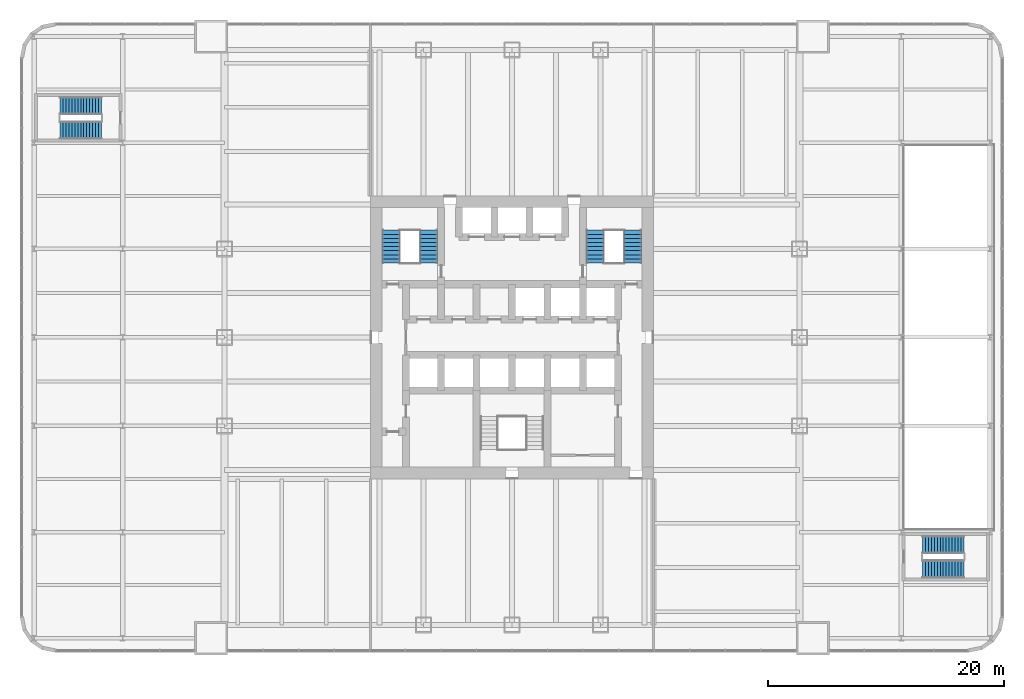
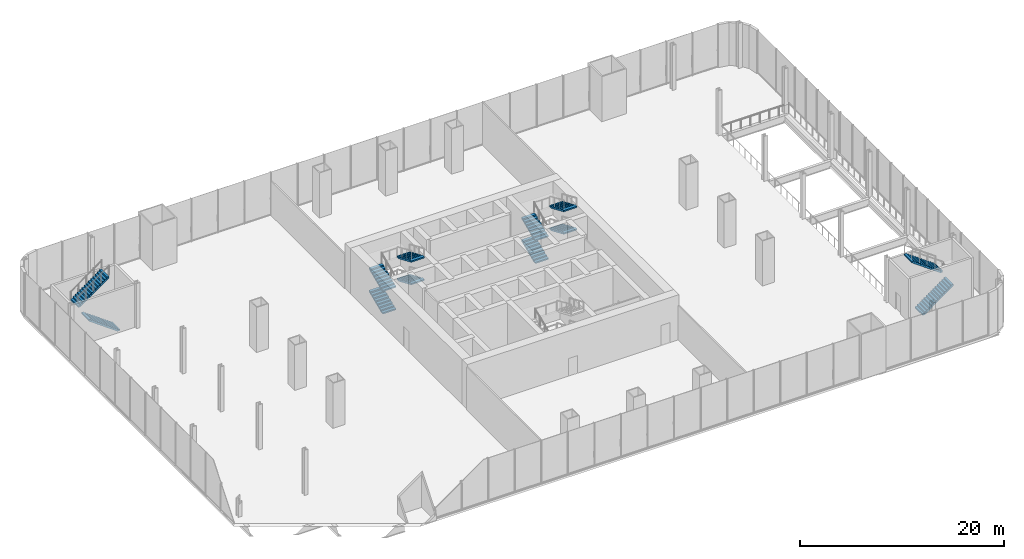
# One storey, part 14 of 16: 12 stair flights, 4 elements without a shape of their own.
"""IFC4 building model written with IfcOpenShell, lengths in metres."""

from ifc_helpers import new_model, si_unit, direction, frame, origin, place, context, subcontext, project, spatial, polyline, outline, extrude, material, type_object, element, aggregate, save


model = new_model("IFC4")

# Units and contexts
model_context = context("Model", 3, precision=1e-05, world=origin(), true_north=direction((0.0, 1.0)))
body_context = subcontext(model_context, "Body", "Model", "MODEL_VIEW")
ifc_project = project(units=[si_unit("LENGTHUNIT", "METRE"), si_unit("AREAUNIT", "SQUARE_METRE"), si_unit("VOLUMEUNIT", "CUBIC_METRE"), si_unit("PLANEANGLEUNIT", "RADIAN"), si_unit("MASSUNIT", "GRAM", prefix="KILO")], contexts=[model_context])

# Site, building, storey
site_placement = place(None, origin())
site = spatial("IfcSite", under=ifc_project, at=site_placement, CompositionType="ELEMENT")
building_placement = place(site_placement, origin())
building = spatial("IfcBuilding", under=site, at=building_placement, Name="Tarangal Relay Tower", CompositionType="ELEMENT")
storey_placement = place(building_placement, frame((0.0, 0.0, 7.199951171875)))
storey = spatial("IfcBuildingStorey", under=building, at=storey_placement, Name="L01", CompositionType="ELEMENT", Elevation=7.199951171875)

# Stair, stair flights
ifc_material = material(Name="Steel ASTM A992 stair flight", Category="steel")
stair_type_1 = type_object("IfcStairType", Name="Podium stair 1500", PredefinedType="HALF_TURN_STAIR", material=ifc_material)
stair_1_placement = place(storey_placement, origin())
stair_1 = element("IfcStair", 1, at=stair_1_placement, inside=storey, type_object=stair_type_1, Name="Stair ST-D L01", PredefinedType="HALF_TURN_STAIR")
stair_flight_type_1 = type_object("IfcStairFlightType", Name="Steel stair flight 1500, 15 risers 180 x 250", PredefinedType="STRAIGHT", material=ifc_material)
stair_flight_1_placement = place(storey_placement, frame((-34.800048828125, 17.550048828125, 0.0), z_axis=(0.0, 0.0, 1.0), x_axis=(-1.0, 0.0, 0.0)))
stair_flight_1 = element("IfcStairFlight", 2, at=stair_flight_1_placement, type_object=stair_flight_type_1, Name="ST-D flight 1", NumberOfRisers=15, NumberOfTreads=14, PredefinedType="STRAIGHT", RiserHeight=0.18, TreadLength=0.25, context=body_context, shape_type="SweptSolid", body=[
    extrude(outline(polyline([(0.0, 0.0), (0.0, 0.179931640625), (0.25, 0.179931640625), (0.25, 0.360107421875), (0.5, 0.360107421875), (0.5, 0.5400390625), (0.75, 0.5400390625), (0.75, 0.719970703125), (1.0, 0.719970703125), (1.0, 0.89990234375), (1.25, 0.89990234375), (1.25, 1.080078125), (1.5, 1.080078125), (1.5, 1.260009765625), (1.75, 1.260009765625), (1.75, 1.43994140625), (2.0, 1.43994140625), (2.0, 1.6201171875), (2.25, 1.6201171875), (2.25, 1.800048828125), (2.5, 1.800048828125), (2.5, 1.97998046875), (2.75, 1.97998046875), (2.75, 2.159912109375), (3.0, 2.159912109375), (3.0, 2.340087890625), (3.25, 2.340087890625), (3.25, 2.52001953125), (3.5, 2.52001953125), (3.5, 2.699951171875), (3.5, 2.335205078125), (0.256591796875, 0.0), (0.0, 0.0)])), frame((0.0, 0.75, 0.0), z_axis=(0.0, -1.0, 0.0), x_axis=(1.0, 0.0, 0.0)), (0.0, 0.0, 1.0), 1.5),
])
stair_flight_2_placement = place(storey_placement, frame((-38.300048828125, 19.64990234375, 2.699951171875), z_axis=(0.0, 0.0, 1.0), x_axis=(1.0, 0.0, 0.0)))
stair_flight_2 = element("IfcStairFlight", 3, at=stair_flight_2_placement, type_object=stair_flight_type_1, Name="ST-D flight 2", NumberOfRisers=15, NumberOfTreads=14, PredefinedType="STRAIGHT", RiserHeight=0.18, TreadLength=0.25, context=body_context, shape_type="SweptSolid", body=[
    extrude(outline(polyline([(0.0, 0.0), (0.0, 0.179931640625), (0.25, 0.179931640625), (0.25, 0.360107421875), (0.5, 0.360107421875), (0.5, 0.5400390625), (0.75, 0.5400390625), (0.75, 0.719970703125), (1.0, 0.719970703125), (1.0, 0.89990234375), (1.25, 0.89990234375), (1.25, 1.080078125), (1.5, 1.080078125), (1.5, 1.260009765625), (1.75, 1.260009765625), (1.75, 1.43994140625), (2.0, 1.43994140625), (2.0, 1.6201171875), (2.25, 1.6201171875), (2.25, 1.800048828125), (2.5, 1.800048828125), (2.5, 1.97998046875), (2.75, 1.97998046875), (2.75, 2.159912109375), (3.0, 2.159912109375), (3.0, 2.340087890625), (3.25, 2.340087890625), (3.25, 2.52001953125), (3.5, 2.52001953125), (3.5, 2.699951171875), (3.5, 2.335205078125), (0.256591796875, 0.0), (0.0, 0.0)])), frame((0.0, 0.75, 0.0), z_axis=(0.0, -1.0, 0.0), x_axis=(1.0, 0.0, 0.0)), (0.0, 0.0, 1.0), 1.5),
])
aggregate(stair_1, [stair_flight_1, stair_flight_2])

stair_2_placement = place(storey_placement, origin())
stair_2 = element("IfcStair", 4, at=stair_2_placement, inside=storey, type_object=stair_type_1, Name="Stair ST-E L01", PredefinedType="HALF_TURN_STAIR")
stair_flight_3_placement = place(storey_placement, frame((34.800048828125, -19.64990234375, 0.0), z_axis=(0.0, 0.0, 1.0), x_axis=(1.0, 0.0, 0.0)))
stair_flight_3 = element("IfcStairFlight", 5, at=stair_flight_3_placement, type_object=stair_flight_type_1, Name="ST-E flight 1", NumberOfRisers=15, NumberOfTreads=14, PredefinedType="STRAIGHT", RiserHeight=0.18, TreadLength=0.25, context=body_context, shape_type="SweptSolid", body=[
    extrude(outline(polyline([(0.0, 0.0), (0.0, 0.179931640625), (0.25, 0.179931640625), (0.25, 0.360107421875), (0.5, 0.360107421875), (0.5, 0.5400390625), (0.75, 0.5400390625), (0.75, 0.719970703125), (1.0, 0.719970703125), (1.0, 0.89990234375), (1.25, 0.89990234375), (1.25, 1.080078125), (1.5, 1.080078125), (1.5, 1.260009765625), (1.75, 1.260009765625), (1.75, 1.43994140625), (2.0, 1.43994140625), (2.0, 1.6201171875), (2.25, 1.6201171875), (2.25, 1.800048828125), (2.5, 1.800048828125), (2.5, 1.97998046875), (2.75, 1.97998046875), (2.75, 2.159912109375), (3.0, 2.159912109375), (3.0, 2.340087890625), (3.25, 2.340087890625), (3.25, 2.52001953125), (3.5, 2.52001953125), (3.5, 2.699951171875), (3.5, 2.335205078125), (0.256591796875, 0.0), (0.0, 0.0)])), frame((0.0, 0.75, 0.0), z_axis=(0.0, -1.0, 0.0), x_axis=(1.0, 0.0, 0.0)), (0.0, 0.0, 1.0), 1.5),
])
stair_flight_4_placement = place(storey_placement, frame((38.300048828125, -17.550048828125, 2.699951171875), z_axis=(0.0, 0.0, 1.0), x_axis=(-1.0, 0.0, 0.0)))
stair_flight_4 = element("IfcStairFlight", 6, at=stair_flight_4_placement, type_object=stair_flight_type_1, Name="ST-E flight 2", NumberOfRisers=15, NumberOfTreads=14, PredefinedType="STRAIGHT", RiserHeight=0.18, TreadLength=0.25, context=body_context, shape_type="SweptSolid", body=[
    extrude(outline(polyline([(0.0, 0.0), (0.0, 0.179931640625), (0.25, 0.179931640625), (0.25, 0.360107421875), (0.5, 0.360107421875), (0.5, 0.5400390625), (0.75, 0.5400390625), (0.75, 0.719970703125), (1.0, 0.719970703125), (1.0, 0.89990234375), (1.25, 0.89990234375), (1.25, 1.080078125), (1.5, 1.080078125), (1.5, 1.260009765625), (1.75, 1.260009765625), (1.75, 1.43994140625), (2.0, 1.43994140625), (2.0, 1.6201171875), (2.25, 1.6201171875), (2.25, 1.800048828125), (2.5, 1.800048828125), (2.5, 1.97998046875), (2.75, 1.97998046875), (2.75, 2.159912109375), (3.0, 2.159912109375), (3.0, 2.340087890625), (3.25, 2.340087890625), (3.25, 2.52001953125), (3.5, 2.52001953125), (3.5, 2.699951171875), (3.5, 2.335205078125), (0.256591796875, 0.0), (0.0, 0.0)])), frame((0.0, 0.75, 0.0), z_axis=(0.0, -1.0, 0.0), x_axis=(1.0, 0.0, 0.0)), (0.0, 0.0, 1.0), 1.5),
])
aggregate(stair_2, [stair_flight_3, stair_flight_4])

stair_type_2 = type_object("IfcStairType", Name="Core stair 1500", PredefinedType="HALF_TURN_STAIR", material=ifc_material)
stair_3_placement = place(storey_placement, origin())
stair_3 = element("IfcStair", 7, at=stair_3_placement, inside=storey, type_object=stair_type_2, Name="Stair ST-A L01", PredefinedType="HALF_TURN_STAIR")
stair_flight_type_2 = type_object("IfcStairFlightType", Name="Steel stair flight 1500, 9 risers 150 x 348", PredefinedType="STRAIGHT", material=ifc_material)
stair_flight_5_placement = place(storey_placement, frame((-10.25, 6.300048828125, 0.0), z_axis=(0.0, 0.0, 1.0), x_axis=(0.0, 1.0, 0.0)))
stair_flight_5 = element("IfcStairFlight", 8, at=stair_flight_5_placement, type_object=stair_flight_type_2, Name="ST-A flight 1", NumberOfRisers=9, NumberOfTreads=8, PredefinedType="STRAIGHT", RiserHeight=0.15, TreadLength=0.348, context=body_context, shape_type="SweptSolid", body=[
    extrude(outline(polyline([(0.0, 0.0), (0.0, 0.14990234375), (0.347900390625, 0.14990234375), (0.347900390625, 0.300048828125), (0.696044921875, 0.300048828125), (0.696044921875, 0.449951171875), (1.0439453125, 0.449951171875), (1.0439453125, 0.60009765625), (1.39208984375, 0.60009765625), (1.39208984375, 0.75), (1.739990234375, 0.75), (1.739990234375, 0.89990234375), (2.087890625, 0.89990234375), (2.087890625, 1.050048828125), (2.43603515625, 1.050048828125), (2.43603515625, 1.199951171875), (2.783935546875, 1.199951171875), (2.783935546875, 1.35009765625), (2.783935546875, 1.036865234375), (0.378662109375, 0.0), (0.0, 0.0)])), frame((0.0, 0.75, 0.0), z_axis=(0.0, -1.0, 0.0), x_axis=(1.0, 0.0, 0.0)), (0.0, 0.0, 1.0), 1.5),
])
stair_flight_6_placement = place(storey_placement, frame((-7.050048828125, 9.083984375, 1.35009765625), z_axis=(0.0, 0.0, 1.0), x_axis=(0.0, -1.0, 0.0)))
stair_flight_6 = element("IfcStairFlight", 9, at=stair_flight_6_placement, type_object=stair_flight_type_2, Name="ST-A flight 2", NumberOfRisers=9, NumberOfTreads=8, PredefinedType="STRAIGHT", RiserHeight=0.15, TreadLength=0.348, context=body_context, shape_type="SweptSolid", body=[
    extrude(outline(polyline([(0.0, 0.0), (0.0, 0.14990234375), (0.347900390625, 0.14990234375), (0.347900390625, 0.300048828125), (0.696044921875, 0.300048828125), (0.696044921875, 0.449951171875), (1.0439453125, 0.449951171875), (1.0439453125, 0.60009765625), (1.39208984375, 0.60009765625), (1.39208984375, 0.75), (1.739990234375, 0.75), (1.739990234375, 0.89990234375), (2.087890625, 0.89990234375), (2.087890625, 1.050048828125), (2.43603515625, 1.050048828125), (2.43603515625, 1.199951171875), (2.783935546875, 1.199951171875), (2.783935546875, 1.35009765625), (2.783935546875, 1.036865234375), (0.378662109375, 0.0), (0.0, 0.0)])), frame((0.0, 0.75, 0.0), z_axis=(0.0, -1.0, 0.0), x_axis=(1.0, 0.0, 0.0)), (0.0, 0.0, 1.0), 1.5),
])
stair_flight_7_placement = place(storey_placement, frame((-10.25, 6.300048828125, 2.699951171875), z_axis=(0.0, 0.0, 1.0), x_axis=(0.0, 1.0, 0.0)))
stair_flight_7 = element("IfcStairFlight", 10, at=stair_flight_7_placement, type_object=stair_flight_type_2, Name="ST-A flight 3", NumberOfRisers=9, NumberOfTreads=8, PredefinedType="STRAIGHT", RiserHeight=0.15, TreadLength=0.348, context=body_context, shape_type="SweptSolid", body=[
    extrude(outline(polyline([(0.0, 0.0), (0.0, 0.14990234375), (0.347900390625, 0.14990234375), (0.347900390625, 0.300048828125), (0.696044921875, 0.300048828125), (0.696044921875, 0.449951171875), (1.0439453125, 0.449951171875), (1.0439453125, 0.60009765625), (1.39208984375, 0.60009765625), (1.39208984375, 0.75), (1.739990234375, 0.75), (1.739990234375, 0.89990234375), (2.087890625, 0.89990234375), (2.087890625, 1.050048828125), (2.43603515625, 1.050048828125), (2.43603515625, 1.199951171875), (2.783935546875, 1.199951171875), (2.783935546875, 1.35009765625), (2.783935546875, 1.036865234375), (0.378662109375, 0.0), (0.0, 0.0)])), frame((0.0, 0.75, 0.0), z_axis=(0.0, -1.0, 0.0), x_axis=(1.0, 0.0, 0.0)), (0.0, 0.0, 1.0), 1.5),
])
stair_flight_8_placement = place(storey_placement, frame((-7.050048828125, 9.083984375, 4.050048828125), z_axis=(0.0, 0.0, 1.0), x_axis=(0.0, -1.0, 0.0)))
stair_flight_8 = element("IfcStairFlight", 11, at=stair_flight_8_placement, type_object=stair_flight_type_2, Name="ST-A flight 4", NumberOfRisers=9, NumberOfTreads=8, PredefinedType="STRAIGHT", RiserHeight=0.15, TreadLength=0.348, context=body_context, shape_type="SweptSolid", body=[
    extrude(outline(polyline([(0.0, 0.0), (0.0, 0.14990234375), (0.347900390625, 0.14990234375), (0.347900390625, 0.300048828125), (0.696044921875, 0.300048828125), (0.696044921875, 0.449951171875), (1.0439453125, 0.449951171875), (1.0439453125, 0.60009765625), (1.39208984375, 0.60009765625), (1.39208984375, 0.75), (1.739990234375, 0.75), (1.739990234375, 0.89990234375), (2.087890625, 0.89990234375), (2.087890625, 1.050048828125), (2.43603515625, 1.050048828125), (2.43603515625, 1.199951171875), (2.783935546875, 1.199951171875), (2.783935546875, 1.35009765625), (2.783935546875, 1.036865234375), (0.378662109375, 0.0), (0.0, 0.0)])), frame((0.0, 0.75, 0.0), z_axis=(0.0, -1.0, 0.0), x_axis=(1.0, 0.0, 0.0)), (0.0, 0.0, 1.0), 1.5),
])
aggregate(stair_3, [stair_flight_5, stair_flight_6, stair_flight_7, stair_flight_8])

stair_4_placement = place(storey_placement, origin())
stair_4 = element("IfcStair", 12, at=stair_4_placement, inside=storey, type_object=stair_type_2, Name="Stair ST-B L01", PredefinedType="HALF_TURN_STAIR")
stair_flight_9_placement = place(storey_placement, frame((7.050048828125, 6.300048828125, 0.0), z_axis=(0.0, 0.0, 1.0), x_axis=(0.0, 1.0, 0.0)))
stair_flight_9 = element("IfcStairFlight", 13, at=stair_flight_9_placement, type_object=stair_flight_type_2, Name="ST-B flight 1", NumberOfRisers=9, NumberOfTreads=8, PredefinedType="STRAIGHT", RiserHeight=0.15, TreadLength=0.348, context=body_context, shape_type="SweptSolid", body=[
    extrude(outline(polyline([(0.0, 0.0), (0.0, 0.14990234375), (0.347900390625, 0.14990234375), (0.347900390625, 0.300048828125), (0.696044921875, 0.300048828125), (0.696044921875, 0.449951171875), (1.0439453125, 0.449951171875), (1.0439453125, 0.60009765625), (1.39208984375, 0.60009765625), (1.39208984375, 0.75), (1.739990234375, 0.75), (1.739990234375, 0.89990234375), (2.087890625, 0.89990234375), (2.087890625, 1.050048828125), (2.43603515625, 1.050048828125), (2.43603515625, 1.199951171875), (2.783935546875, 1.199951171875), (2.783935546875, 1.35009765625), (2.783935546875, 1.036865234375), (0.378662109375, 0.0), (0.0, 0.0)])), frame((0.0, 0.75, 0.0), z_axis=(0.0, -1.0, 0.0), x_axis=(1.0, 0.0, 0.0)), (0.0, 0.0, 1.0), 1.5),
])
stair_flight_10_placement = place(storey_placement, frame((10.25, 9.083984375, 1.35009765625), z_axis=(0.0, 0.0, 1.0), x_axis=(0.0, -1.0, 0.0)))
stair_flight_10 = element("IfcStairFlight", 14, at=stair_flight_10_placement, type_object=stair_flight_type_2, Name="ST-B flight 2", NumberOfRisers=9, NumberOfTreads=8, PredefinedType="STRAIGHT", RiserHeight=0.15, TreadLength=0.348, context=body_context, shape_type="SweptSolid", body=[
    extrude(outline(polyline([(0.0, 0.0), (0.0, 0.14990234375), (0.347900390625, 0.14990234375), (0.347900390625, 0.300048828125), (0.696044921875, 0.300048828125), (0.696044921875, 0.449951171875), (1.0439453125, 0.449951171875), (1.0439453125, 0.60009765625), (1.39208984375, 0.60009765625), (1.39208984375, 0.75), (1.739990234375, 0.75), (1.739990234375, 0.89990234375), (2.087890625, 0.89990234375), (2.087890625, 1.050048828125), (2.43603515625, 1.050048828125), (2.43603515625, 1.199951171875), (2.783935546875, 1.199951171875), (2.783935546875, 1.35009765625), (2.783935546875, 1.036865234375), (0.378662109375, 0.0), (0.0, 0.0)])), frame((0.0, 0.75, 0.0), z_axis=(0.0, -1.0, 0.0), x_axis=(1.0, 0.0, 0.0)), (0.0, 0.0, 1.0), 1.5),
])
stair_flight_11_placement = place(storey_placement, frame((7.050048828125, 6.300048828125, 2.699951171875), z_axis=(0.0, 0.0, 1.0), x_axis=(0.0, 1.0, 0.0)))
stair_flight_11 = element("IfcStairFlight", 15, at=stair_flight_11_placement, type_object=stair_flight_type_2, Name="ST-B flight 3", NumberOfRisers=9, NumberOfTreads=8, PredefinedType="STRAIGHT", RiserHeight=0.15, TreadLength=0.348, context=body_context, shape_type="SweptSolid", body=[
    extrude(outline(polyline([(0.0, 0.0), (0.0, 0.14990234375), (0.347900390625, 0.14990234375), (0.347900390625, 0.300048828125), (0.696044921875, 0.300048828125), (0.696044921875, 0.449951171875), (1.0439453125, 0.449951171875), (1.0439453125, 0.60009765625), (1.39208984375, 0.60009765625), (1.39208984375, 0.75), (1.739990234375, 0.75), (1.739990234375, 0.89990234375), (2.087890625, 0.89990234375), (2.087890625, 1.050048828125), (2.43603515625, 1.050048828125), (2.43603515625, 1.199951171875), (2.783935546875, 1.199951171875), (2.783935546875, 1.35009765625), (2.783935546875, 1.036865234375), (0.378662109375, 0.0), (0.0, 0.0)])), frame((0.0, 0.75, 0.0), z_axis=(0.0, -1.0, 0.0), x_axis=(1.0, 0.0, 0.0)), (0.0, 0.0, 1.0), 1.5),
])
stair_flight_12_placement = place(storey_placement, frame((10.25, 9.083984375, 4.050048828125), z_axis=(0.0, 0.0, 1.0), x_axis=(0.0, -1.0, 0.0)))
stair_flight_12 = element("IfcStairFlight", 16, at=stair_flight_12_placement, type_object=stair_flight_type_2, Name="ST-B flight 4", NumberOfRisers=9, NumberOfTreads=8, PredefinedType="STRAIGHT", RiserHeight=0.15, TreadLength=0.348, context=body_context, shape_type="SweptSolid", body=[
    extrude(outline(polyline([(0.0, 0.0), (0.0, 0.14990234375), (0.347900390625, 0.14990234375), (0.347900390625, 0.300048828125), (0.696044921875, 0.300048828125), (0.696044921875, 0.449951171875), (1.0439453125, 0.449951171875), (1.0439453125, 0.60009765625), (1.39208984375, 0.60009765625), (1.39208984375, 0.75), (1.739990234375, 0.75), (1.739990234375, 0.89990234375), (2.087890625, 0.89990234375), (2.087890625, 1.050048828125), (2.43603515625, 1.050048828125), (2.43603515625, 1.199951171875), (2.783935546875, 1.199951171875), (2.783935546875, 1.35009765625), (2.783935546875, 1.036865234375), (0.378662109375, 0.0), (0.0, 0.0)])), frame((0.0, 0.75, 0.0), z_axis=(0.0, -1.0, 0.0), x_axis=(1.0, 0.0, 0.0)), (0.0, 0.0, 1.0), 1.5),
])
aggregate(stair_4, [stair_flight_9, stair_flight_10, stair_flight_11, stair_flight_12])

save(model, "model.ifc")
